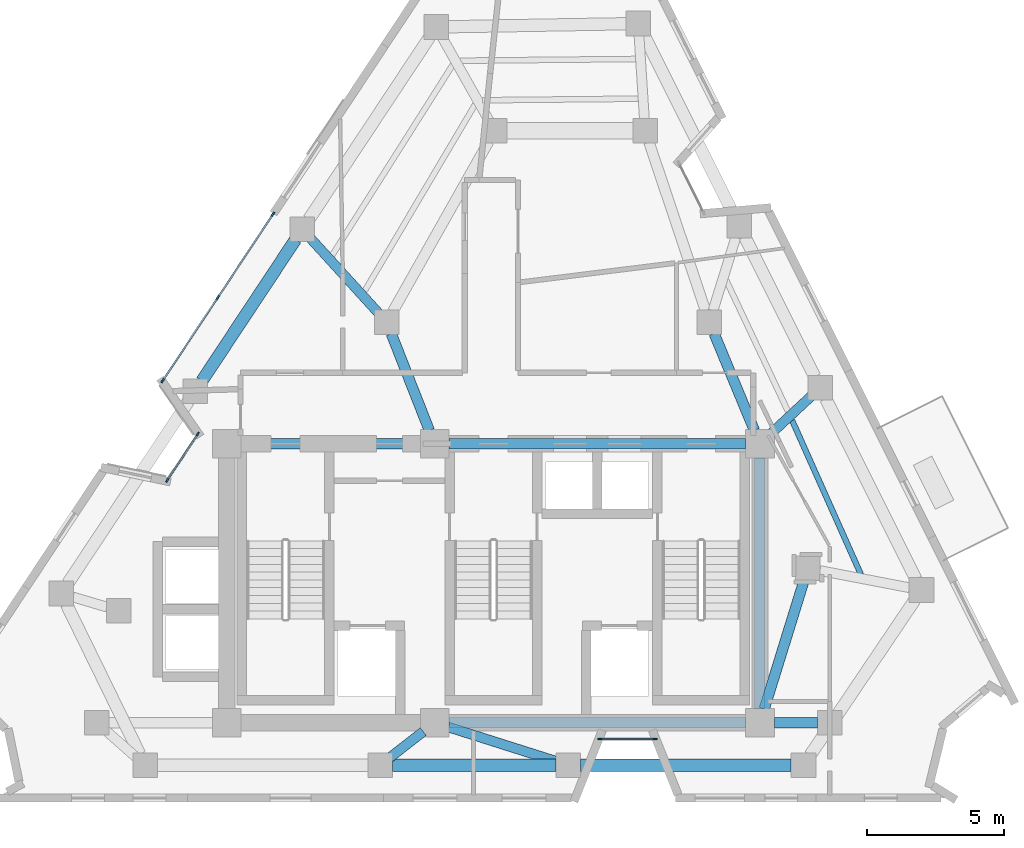
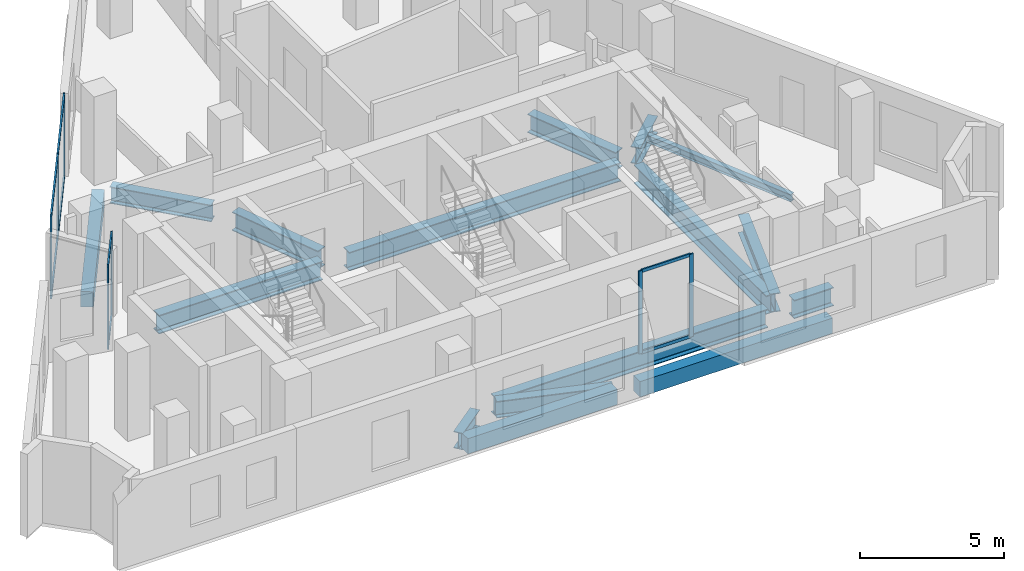
# One storey, part 2 of 9: 16 beams, 15 members, 3 elements without a shape of their own.
"""IFC4 building model written with IfcOpenShell, lengths in metres."""

from ifc_helpers import new_model, si_unit, direction, frame, origin, origin_2d, place, context, subcontext, project, spatial, rectangle, i_section, extrude, material, layer, layer_set, material_profile, profile_set, type_object, element, aggregate, save


model = new_model("IFC4")

# Units and contexts
model_context = context("Model", 3, precision=1e-05, world=origin(), true_north=direction((0.0, 1.0)))
body_context = subcontext(model_context, "Body", "Model", "MODEL_VIEW")
ifc_project = project(units=[si_unit("LENGTHUNIT", "METRE"), si_unit("AREAUNIT", "SQUARE_METRE"), si_unit("VOLUMEUNIT", "CUBIC_METRE"), si_unit("PLANEANGLEUNIT", "RADIAN"), si_unit("MASSUNIT", "GRAM", prefix="KILO")], contexts=[model_context])

# Site, building, storey
site_placement = place(None, origin())
site = spatial("IfcSite", under=ifc_project, at=site_placement, CompositionType="ELEMENT")
building_placement = place(site_placement, origin())
building = spatial("IfcBuilding", under=site, at=building_placement, Name="Almagre Mirador Tower", CompositionType="ELEMENT")
storey_placement = place(building_placement, frame((0.0, 0.0, 267.0)))
storey = spatial("IfcBuildingStorey", under=building, at=storey_placement, Name="L69", CompositionType="ELEMENT", Elevation=267.0)

# Beams
ifc_material_1 = material(Name="Steel ASTM A992 Grade 50", Category="steel")
ifc_material_profile_1 = material_profile(ifc_material_1, i_section(OverallWidth=0.205078125, OverallDepth=0.31005859375, WebThickness=0.009521484375, FlangeThickness=0.016357421875, FilletRadius=0.013916015625, at=origin_2d()), Name="W12X50")
ifc_profile_set_1 = profile_set([ifc_material_profile_1], Name="Steel ASTM A992 Grade 50")
beam_type_1 = type_object("IfcBeamType", Name="BM-JST-W12X50", PredefinedType="JOIST", material=ifc_profile_set_1)
beam_1_placement = place(storey_placement, frame((50.739990234375, 9.9775390625, -0.405029296875), z_axis=(-0.407786353959, 0.913077373241, 0.0), x_axis=(-0.913077373241, -0.407786353959, 0.0)))
element("IfcBeam", 1, at=beam_1_placement, inside=storey, type_object=beam_type_1, Name="L69 secondary floor joist PC05-PC06.2", PredefinedType="JOIST", context=body_context, shape_type="SweptSolid", body=[
    extrude(i_section(OverallWidth=0.205078125, OverallDepth=0.31005859375, WebThickness=0.009521484375, FlangeThickness=0.016357421875, FilletRadius=0.013916015625, at=origin_2d()), origin(), (0.0, 0.0, 1.0), 6.169677734375),
])
ifc_material_2 = material(Name="Precast concrete C50/60", Category="concrete")
ifc_material_profile_2 = material_profile(ifc_material_2, rectangle(XDim=0.449951171875, YDim=0.64990234375, at=origin_2d()), Name="RC450X650")
ifc_profile_set_2 = profile_set([ifc_material_profile_2], Name="Precast concrete C50/60")
beam_type_2 = type_object("IfcBeamType", Name="BM-SPN-RC450X650", PredefinedType="SPANDREL", material=ifc_profile_set_2)
beam_2_placement = place(storey_placement, frame((33.610107421875, 3.0, -0.574951171875), z_axis=(1.0, 0.0, 0.0), x_axis=(0.0, 1.0, 0.0)))
element("IfcBeam", 2, at=beam_2_placement, inside=storey, type_object=beam_type_2, Name="L69 perimeter spandrel beam PC02-PC03", PredefinedType="SPANDREL", context=body_context, shape_type="SweptSolid", body=[
    extrude(rectangle(XDim=0.449951171875, YDim=0.64990234375, at=origin_2d()), origin(), (0.0, 0.0, 1.0), 5.97998046875),
])
beam_3_placement = place(storey_placement, frame((40.489990234375, 3.0, -0.574951171875), z_axis=(1.0, 0.0, 0.0), x_axis=(0.0, 1.0, 0.0)))
element("IfcBeam", 3, at=beam_3_placement, inside=storey, type_object=beam_type_2, Name="L69 perimeter spandrel beam PC03-PC04", PredefinedType="SPANDREL", context=body_context, shape_type="SweptSolid", body=[
    extrude(rectangle(XDim=0.449951171875, YDim=0.64990234375, at=origin_2d()), origin(), (0.0, 0.0, 1.0), 7.699951171875),
])
beam_4_placement = place(storey_placement, frame((30.0625, 22.2216796875, -0.574951171875), z_axis=(-0.552107701179, -0.833772802566, 0.0), x_axis=(0.833772802566, -0.552107701179, 0.0)))
element("IfcBeam", 4, at=beam_4_placement, inside=storey, type_object=beam_type_2, Name="L69 perimeter spandrel beam PC10-PC11", PredefinedType="SPANDREL", context=body_context, shape_type="SweptSolid", body=[
    extrude(rectangle(XDim=0.449951171875, YDim=0.64990234375, at=origin_2d()), origin(), (0.0, 0.0, 1.0), 6.199951171875),
])
ifc_material_3 = material(Name="Steel ASTM A992 Grade 50", Category="steel")
ifc_material_profile_3 = material_profile(ifc_material_3, i_section(OverallWidth=0.35791015625, OverallDepth=0.7060546875, WebThickness=0.018310546875, FlangeThickness=0.0302734375, FilletRadius=0.02197265625, at=origin_2d()), Name="W27X178")
ifc_profile_set_3 = profile_set([ifc_material_profile_3], Name="Steel ASTM A992 Grade 50")
beam_type_3 = type_object("IfcBeamType", Name="BM-STL-W27X178", PredefinedType="BEAM", material=ifc_profile_set_3)
beam_5_placement = place(storey_placement, frame((33.514892578125, 3.276611328125, -0.60302734375), z_axis=(0.789020779968, 0.614366510137, 0.0), x_axis=(-0.614366510137, 0.789020779968, 0.0)))
element("IfcBeam", 5, at=beam_5_placement, inside=storey, type_object=beam_type_3, Name="L69 radial floor girder PC02-CC2", PredefinedType="BEAM", context=body_context, shape_type="SweptSolid", body=[
    extrude(i_section(OverallWidth=0.35791015625, OverallDepth=0.7060546875, WebThickness=0.018310546875, FlangeThickness=0.0302734375, FilletRadius=0.02197265625, at=origin_2d()), origin(), (0.0, 0.0, 1.0), 1.54736328125),
])
beam_6_placement = place(storey_placement, frame((39.611083984375, 3.135986328125, -0.60302734375), z_axis=(-0.953262426314, 0.302143586027, 0.0), x_axis=(-0.302143586027, -0.953262426314, 0.0)))
element("IfcBeam", 6, at=beam_6_placement, inside=storey, type_object=beam_type_3, Name="L69 radial floor girder PC03-CC2", PredefinedType="BEAM", context=body_context, shape_type="SweptSolid", body=[
    extrude(i_section(OverallWidth=0.35791015625, OverallDepth=0.7060546875, WebThickness=0.018310546875, FlangeThickness=0.0302734375, FilletRadius=0.02197265625, at=origin_2d()), origin(), (0.0, 0.0, 1.0), 4.15478515625),
])
beam_7_placement = place(storey_placement, frame((48.927490234375, 16.49658203125, -0.60302734375), z_axis=(-0.732204787824, -0.681084538576, 0.0), x_axis=(0.681084538576, -0.732204787824, 0.0)))
element("IfcBeam", 7, at=beam_7_placement, inside=storey, type_object=beam_type_3, Name="L69 radial floor girder PC06-CC6", PredefinedType="BEAM", context=body_context, shape_type="SweptSolid", body=[
    extrude(i_section(OverallWidth=0.35791015625, OverallDepth=0.7060546875, WebThickness=0.018310546875, FlangeThickness=0.0302734375, FilletRadius=0.02197265625, at=origin_2d()), origin(), (0.0, 0.0, 1.0), 2.039306640625),
])
beam_8_placement = place(storey_placement, frame((30.61376953125, 22.26416015625, -0.60302734375), z_axis=(0.672781414124, -0.739841313262, 0.0), x_axis=(0.739841313262, 0.672781414124, 0.0)))
element("IfcBeam", 8, at=beam_8_placement, inside=storey, type_object=beam_type_3, Name="L69 radial floor girder PC10-MC8", PredefinedType="BEAM", context=body_context, shape_type="SweptSolid", body=[
    extrude(i_section(OverallWidth=0.35791015625, OverallDepth=0.7060546875, WebThickness=0.018310546875, FlangeThickness=0.0302734375, FilletRadius=0.02197265625, at=origin_2d()), origin(), (0.0, 0.0, 1.0), 3.691650390625),
])
ifc_material_4 = material(Name="Steel ASTM A992 Grade 50", Category="steel")
ifc_material_profile_4 = material_profile(ifc_material_4, i_section(OverallWidth=0.384033203125, OverallDepth=0.784912109375, WebThickness=0.019775390625, FlangeThickness=0.033447265625, FilletRadius=0.02392578125, at=origin_2d()), Name="W30X211")
ifc_profile_set_4 = profile_set([ifc_material_profile_4], Name="Steel ASTM A992 Grade 50")
beam_type_4 = type_object("IfcBeamType", Name="BM-STL-W30X211", PredefinedType="BEAM", material=ifc_profile_set_4)
beam_9_placement = place(storey_placement, frame((35.675048828125, 4.550048828125, -0.642578125), z_axis=(1.0, 0.0, 0.0), x_axis=(0.0, 1.0, 0.0)))
element("IfcBeam", 9, at=beam_9_placement, inside=storey, type_object=beam_type_4, Name="L69 core tie girder CC2-CC3", PredefinedType="BEAM", context=body_context, shape_type="SweptSolid", body=[
    extrude(i_section(OverallWidth=0.384033203125, OverallDepth=0.784912109375, WebThickness=0.019775390625, FlangeThickness=0.033447265625, FilletRadius=0.02392578125, at=origin_2d()), origin(), (0.0, 0.0, 1.0), 10.849853515625),
])
beam_10_placement = place(storey_placement, frame((28.074951171875, 14.75, -0.642578125), z_axis=(1.0, 0.0, 0.0), x_axis=(0.0, 1.0, 0.0)))
element("IfcBeam", 10, at=beam_10_placement, inside=storey, type_object=beam_type_4, Name="L69 core tie girder CC4-CC5", PredefinedType="BEAM", context=body_context, shape_type="SweptSolid", body=[
    extrude(i_section(OverallWidth=0.384033203125, OverallDepth=0.784912109375, WebThickness=0.019775390625, FlangeThickness=0.033447265625, FilletRadius=0.02392578125, at=origin_2d()), origin(), (0.0, 0.0, 1.0), 6.550048828125),
])
beam_11_placement = place(storey_placement, frame((35.675048828125, 14.75, -0.642578125), z_axis=(1.0, 0.0, 0.0), x_axis=(0.0, 1.0, 0.0)))
element("IfcBeam", 11, at=beam_11_placement, inside=storey, type_object=beam_type_4, Name="L69 core tie girder CC5-CC6", PredefinedType="BEAM", context=body_context, shape_type="SweptSolid", body=[
    extrude(i_section(OverallWidth=0.384033203125, OverallDepth=0.784912109375, WebThickness=0.019775390625, FlangeThickness=0.033447265625, FilletRadius=0.02392578125, at=origin_2d()), origin(), (0.0, 0.0, 1.0), 10.849853515625),
])
beam_12_placement = place(storey_placement, frame((47.050048828125, 5.074951171875, -0.642578125), z_axis=(0.0, 1.0, 0.0), x_axis=(-1.0, 0.0, 0.0)))
element("IfcBeam", 12, at=beam_12_placement, inside=storey, type_object=beam_type_4, Name="L69 core tie girder CC3-CC6", PredefinedType="BEAM", context=body_context, shape_type="SweptSolid", body=[
    extrude(i_section(OverallWidth=0.384033203125, OverallDepth=0.784912109375, WebThickness=0.019775390625, FlangeThickness=0.033447265625, FilletRadius=0.02392578125, at=origin_2d()), origin(), (0.0, 0.0, 1.0), 9.150146484375),
])
beam_13_placement = place(storey_placement, frame((49.14990234375, 4.550048828125, -0.642578125), z_axis=(-1.0, 0.0, 0.0), x_axis=(0.0, -1.0, 0.0)))
element("IfcBeam", 13, at=beam_13_placement, inside=storey, type_object=beam_type_4, Name="L69 core tie girder MC2-CC3", PredefinedType="BEAM", context=body_context, shape_type="SweptSolid", body=[
    extrude(i_section(OverallWidth=0.384033203125, OverallDepth=0.784912109375, WebThickness=0.019775390625, FlangeThickness=0.033447265625, FilletRadius=0.02392578125, at=origin_2d()), origin(), (0.0, 0.0, 1.0), 1.574951171875),
])
beam_14_placement = place(storey_placement, frame((48.6669921875, 9.77001953125, -0.642578125), z_axis=(-0.295901717967, -0.955218390372, 0.0), x_axis=(0.955218390372, -0.295901717967, 0.0)))
element("IfcBeam", 14, at=beam_14_placement, inside=storey, type_object=beam_type_4, Name="L69 core tie girder MC3-CC3", PredefinedType="BEAM", context=body_context, shape_type="SweptSolid", body=[
    extrude(i_section(OverallWidth=0.384033203125, OverallDepth=0.784912109375, WebThickness=0.019775390625, FlangeThickness=0.033447265625, FilletRadius=0.02392578125, at=origin_2d()), origin(), (0.0, 0.0, 1.0), 4.939697265625),
])
beam_15_placement = place(storey_placement, frame((45.372802734375, 18.784423828125, -0.642578125), z_axis=(0.383862140668, -0.923390414159, 0.0), x_axis=(0.923390414159, 0.383862140668, 0.0)))
element("IfcBeam", 15, at=beam_15_placement, inside=storey, type_object=beam_type_4, Name="L69 core tie girder MC5-CC6", PredefinedType="BEAM", context=body_context, shape_type="SweptSolid", body=[
    extrude(i_section(OverallWidth=0.384033203125, OverallDepth=0.784912109375, WebThickness=0.019775390625, FlangeThickness=0.033447265625, FilletRadius=0.02392578125, at=origin_2d()), origin(), (0.0, 0.0, 1.0), 3.843994140625),
])
beam_16_placement = place(storey_placement, frame((33.564697265625, 18.78125, -0.642578125), z_axis=(0.365999579355, -0.93061501595, 0.0), x_axis=(0.93061501595, 0.365999579355, 0.0)))
element("IfcBeam", 16, at=beam_16_placement, inside=storey, type_object=beam_type_4, Name="L69 core tie girder MC8-CC5", PredefinedType="BEAM", context=body_context, shape_type="SweptSolid", body=[
    extrude(i_section(OverallWidth=0.384033203125, OverallDepth=0.784912109375, WebThickness=0.019775390625, FlangeThickness=0.033447265625, FilletRadius=0.02392578125, at=origin_2d()), origin(), (0.0, 0.0, 1.0), 3.806884765625),
])

# Curtain wall, members
ifc_material_5 = material(Name="Black anodized aluminium", Category="aluminium")
ifc_layer_1 = layer(ifc_material_5, 0.169921875)
ifc_layer_set_1 = layer_set([ifc_layer_1], Name="Black anodized aluminium")
curtain_wall_type_1 = type_object("IfcCurtainWallType", Name="CW-CRS-SYS", PredefinedType="NOTDEFINED", material=ifc_layer_set_1)
curtain_wall_1_placement = place(storey_placement, origin())
curtain_wall_1 = element("IfcCurtainWall", 17, at=curtain_wall_1_placement, inside=storey, type_object=curtain_wall_type_1, Name="L69 vertical crease curtain wall 01", PredefinedType="NOTDEFINED")
ifc_material_6 = material(Name="Black anodized aluminium", Category="aluminium")
ifc_material_profile_5 = material_profile(ifc_material_6, rectangle(XDim=0.06005859375, YDim=0.14990234375, at=origin_2d()), Name="CWM60X150")
ifc_profile_set_5 = profile_set([ifc_material_profile_5], Name="Black anodized aluminium")
member_type_1 = type_object("IfcMemberType", Name="MBR-CWM60X150", PredefinedType="MULLION", material=ifc_profile_set_5)
member_1_placement = place(storey_placement, frame((25.36865234375, 13.4140625, 0.0), z_axis=(0.0, 0.0, 1.0), x_axis=(-0.833812393793, 0.552047907303, 0.0)))
member_1 = element("IfcMember", 18, at=member_1_placement, type_object=member_type_1, Name="CW-4 mullion 1", PredefinedType="MULLION", context=body_context, shape_type="SweptSolid", body=[
    extrude(rectangle(XDim=0.06005859375, YDim=0.14990234375, at=origin_2d()), origin(), (0.0, 0.0, 1.0), 3.5),
])
member_2_placement = place(storey_placement, frame((26.489501953125, 15.10693359375, 0.0), z_axis=(0.0, 0.0, 1.0), x_axis=(-0.833812393793, 0.552047907303, 0.0)))
member_2 = element("IfcMember", 19, at=member_2_placement, type_object=member_type_1, Name="CW-4 mullion 2", PredefinedType="MULLION", context=body_context, shape_type="SweptSolid", body=[
    extrude(rectangle(XDim=0.06005859375, YDim=0.14990234375, at=origin_2d()), origin(), (0.0, 0.0, 1.0), 3.5),
])

curtain_wall_2_placement = place(storey_placement, origin())
curtain_wall_2 = element("IfcCurtainWall", 20, at=curtain_wall_2_placement, inside=storey, type_object=curtain_wall_type_1, Name="L69 vertical crease curtain wall 04", PredefinedType="NOTDEFINED")
member_3_placement = place(storey_placement, frame((43.215087890625, 3.949951171875, 0.0), z_axis=(0.0, 0.0, 1.0), x_axis=(0.0, -1.0, 0.0)))
member_3 = element("IfcMember", 21, at=member_3_placement, type_object=member_type_1, Name="CW-4 mullion 1", PredefinedType="MULLION", context=body_context, shape_type="SweptSolid", body=[
    extrude(rectangle(XDim=0.06005859375, YDim=0.14990234375, at=origin_2d()), origin(), (0.0, 0.0, 1.0), 3.5),
])
member_4_placement = place(storey_placement, frame((41.18505859375, 3.949951171875, 0.0), z_axis=(0.0, 0.0, 1.0), x_axis=(0.0, -1.0, 0.0)))
member_4 = element("IfcMember", 22, at=member_4_placement, type_object=member_type_1, Name="CW-4 mullion 2", PredefinedType="MULLION", context=body_context, shape_type="SweptSolid", body=[
    extrude(rectangle(XDim=0.06005859375, YDim=0.14990234375, at=origin_2d()), origin(), (0.0, 0.0, 1.0), 3.5),
])

ifc_material_7 = material(Name="Black anodized aluminium", Category="aluminium")
ifc_layer_2 = layer(ifc_material_7, 0.199951171875)
ifc_layer_set_2 = layer_set([ifc_layer_2], Name="Black anodized aluminium")
curtain_wall_type_2 = type_object("IfcCurtainWallType", Name="CW-RES-H-SYS", PredefinedType="NOTDEFINED", material=ifc_layer_set_2)
curtain_wall_3_placement = place(storey_placement, origin())
curtain_wall_3 = element("IfcCurtainWall", 23, at=curtain_wall_3_placement, inside=storey, type_object=curtain_wall_type_2, Name="L69 curtain wall run 02", PredefinedType="NOTDEFINED")
ifc_material_8 = material(Name="Black anodized aluminium", Category="aluminium")
ifc_material_profile_6 = material_profile(ifc_material_8, rectangle(XDim=0.06494140625, YDim=0.179931640625, at=origin_2d()), Name="CWM65X180")
ifc_profile_set_6 = profile_set([ifc_material_profile_6], Name="Black anodized aluminium")
member_type_2 = type_object("IfcMemberType", Name="MBR-CWM65X180", PredefinedType="MULLION", material=ifc_profile_set_6)
member_5_placement = place(storey_placement, frame((25.203857421875, 17.05810546875, 0.0), z_axis=(0.0, 0.0, 1.0), x_axis=(-0.833785147813, 0.552089057386, 0.0)))
member_5 = element("IfcMember", 24, at=member_5_placement, type_object=member_type_2, Name="CW-3 mullion 1", PredefinedType="MULLION", context=body_context, shape_type="SweptSolid", body=[
    extrude(rectangle(XDim=0.06494140625, YDim=0.179931640625, at=origin_2d()), origin(), (0.0, 0.0, 1.0), 3.5),
])
member_6_placement = place(storey_placement, frame((27.220458984375, 20.103271484375, 0.0), z_axis=(0.0, 0.0, 1.0), x_axis=(-0.833785147813, 0.552089057386, 0.0)))
member_6 = element("IfcMember", 25, at=member_6_placement, type_object=member_type_2, Name="CW-3 mullion 2", PredefinedType="MULLION", context=body_context, shape_type="SweptSolid", body=[
    extrude(rectangle(XDim=0.06494140625, YDim=0.179931640625, at=origin_2d()), origin(), (0.0, 0.0, 1.0), 3.5),
])
member_7_placement = place(storey_placement, frame((29.23681640625, 23.148681640625, 0.0), z_axis=(0.0, 0.0, 1.0), x_axis=(-0.833785147813, 0.552089057386, 0.0)))
member_7 = element("IfcMember", 26, at=member_7_placement, type_object=member_type_2, Name="CW-3 mullion 3", PredefinedType="MULLION", context=body_context, shape_type="SweptSolid", body=[
    extrude(rectangle(XDim=0.06494140625, YDim=0.179931640625, at=origin_2d()), origin(), (0.0, 0.0, 1.0), 3.5),
])

# Member
ifc_material_9 = material(Name="Black anodized aluminium", Category="aluminium")
ifc_material_profile_7 = material_profile(ifc_material_9, rectangle(XDim=0.06005859375, YDim=0.1298828125, at=origin_2d()), Name="CWT60X130")
ifc_profile_set_7 = profile_set([ifc_material_profile_7], Name="Black anodized aluminium")
member_type_3 = type_object("IfcMemberType", Name="MBR-CWT60X130", PredefinedType="USERDEFINED", material=ifc_profile_set_7)
member_8_placement = place(storey_placement, frame((25.385009765625, 13.43896484375, 0.030029296875), z_axis=(0.55206708138, 0.833799698763, 0.0), x_axis=(-0.833799698763, 0.55206708138, 0.0)))
member_8 = element("IfcMember", 27, at=member_8_placement, type_object=member_type_3, Name="CW-4 transom 1.1", ObjectType="TRANSOM", PredefinedType="USERDEFINED", context=body_context, shape_type="SweptSolid", body=[
    extrude(rectangle(XDim=0.06005859375, YDim=0.1298828125, at=origin_2d()), origin(), (0.0, 0.0, 1.0), 1.970458984375),
])

member_9_placement = place(storey_placement, frame((25.385009765625, 13.43896484375, 3.469970703125), z_axis=(0.55206708138, 0.833799698763, 0.0), x_axis=(-0.833799698763, 0.55206708138, 0.0)))
member_9 = element("IfcMember", 28, at=member_9_placement, type_object=member_type_3, Name="CW-4 transom 1.2", ObjectType="TRANSOM", PredefinedType="USERDEFINED", context=body_context, shape_type="SweptSolid", body=[
    extrude(rectangle(XDim=0.06005859375, YDim=0.1298828125, at=origin_2d()), origin(), (0.0, 0.0, 1.0), 1.970458984375),
])

aggregate(curtain_wall_1, [member_1, member_2, member_8, member_9])

member_10_placement = place(storey_placement, frame((43.18505859375, 3.949951171875, 0.030029296875), z_axis=(-1.0, 0.0, 0.0), x_axis=(0.0, -1.0, 0.0)))
member_10 = element("IfcMember", 29, at=member_10_placement, type_object=member_type_3, Name="CW-4 transom 1.1", ObjectType="TRANSOM", PredefinedType="USERDEFINED", context=body_context, shape_type="SweptSolid", body=[
    extrude(rectangle(XDim=0.06005859375, YDim=0.1298828125, at=origin_2d()), origin(), (0.0, 0.0, 1.0), 1.969970703125),
])

member_11_placement = place(storey_placement, frame((43.18505859375, 3.949951171875, 3.469970703125), z_axis=(-1.0, 0.0, 0.0), x_axis=(0.0, -1.0, 0.0)))
member_11 = element("IfcMember", 30, at=member_11_placement, type_object=member_type_3, Name="CW-4 transom 1.2", ObjectType="TRANSOM", PredefinedType="USERDEFINED", context=body_context, shape_type="SweptSolid", body=[
    extrude(rectangle(XDim=0.06005859375, YDim=0.1298828125, at=origin_2d()), origin(), (0.0, 0.0, 1.0), 1.969970703125),
])

aggregate(curtain_wall_2, [member_3, member_4, member_10, member_11])

ifc_material_10 = material(Name="Black anodized aluminium", Category="aluminium")
ifc_material_profile_8 = material_profile(ifc_material_10, rectangle(XDim=0.06494140625, YDim=0.14990234375, at=origin_2d()), Name="CWT65X150")
ifc_profile_set_8 = profile_set([ifc_material_profile_8], Name="Black anodized aluminium")
member_type_4 = type_object("IfcMemberType", Name="MBR-CWT65X150", PredefinedType="USERDEFINED", material=ifc_profile_set_8)
member_12_placement = place(storey_placement, frame((25.221923828125, 17.085205078125, 0.032470703125), z_axis=(0.552090310172, 0.833784318283, 0.0), x_axis=(-0.833784318283, 0.552090310172, 0.0)))
member_12 = element("IfcMember", 31, at=member_12_placement, type_object=member_type_4, Name="CW-3 transom 1.1", ObjectType="TRANSOM", PredefinedType="USERDEFINED", context=body_context, shape_type="SweptSolid", body=[
    extrude(rectangle(XDim=0.06494140625, YDim=0.14990234375, at=origin_2d()), origin(), (0.0, 0.0, 1.0), 3.587158203125),
])

member_13_placement = place(storey_placement, frame((25.221923828125, 17.085205078125, 3.467529296875), z_axis=(0.552090310172, 0.833784318283, 0.0), x_axis=(-0.833784318283, 0.552090310172, 0.0)))
member_13 = element("IfcMember", 32, at=member_13_placement, type_object=member_type_4, Name="CW-3 transom 1.2", ObjectType="TRANSOM", PredefinedType="USERDEFINED", context=body_context, shape_type="SweptSolid", body=[
    extrude(rectangle(XDim=0.06494140625, YDim=0.14990234375, at=origin_2d()), origin(), (0.0, 0.0, 1.0), 3.587158203125),
])

member_14_placement = place(storey_placement, frame((27.23828125, 20.13037109375, 0.032470703125), z_axis=(0.552058982596, 0.833805060992, 0.0), x_axis=(-0.833805060992, 0.552058982596, 0.0)))
member_14 = element("IfcMember", 33, at=member_14_placement, type_object=member_type_4, Name="CW-3 transom 2.1", ObjectType="TRANSOM", PredefinedType="USERDEFINED", context=body_context, shape_type="SweptSolid", body=[
    extrude(rectangle(XDim=0.06494140625, YDim=0.14990234375, at=origin_2d()), origin(), (0.0, 0.0, 1.0), 3.58740234375),
])

member_15_placement = place(storey_placement, frame((27.23828125, 20.13037109375, 3.467529296875), z_axis=(0.552058982596, 0.833805060992, 0.0), x_axis=(-0.833805060992, 0.552058982596, 0.0)))
member_15 = element("IfcMember", 34, at=member_15_placement, type_object=member_type_4, Name="CW-3 transom 2.2", ObjectType="TRANSOM", PredefinedType="USERDEFINED", context=body_context, shape_type="SweptSolid", body=[
    extrude(rectangle(XDim=0.06494140625, YDim=0.14990234375, at=origin_2d()), origin(), (0.0, 0.0, 1.0), 3.58740234375),
])

aggregate(curtain_wall_3, [member_5, member_6, member_7, member_12, member_13, member_14, member_15])

save(model, "model.ifc")
